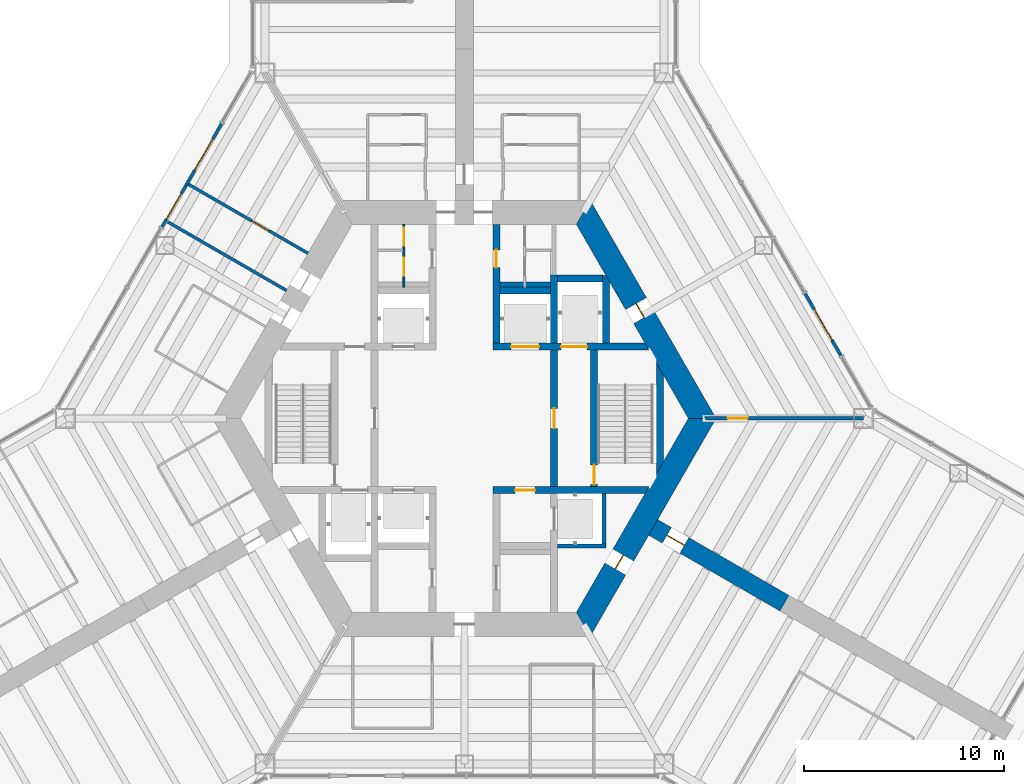
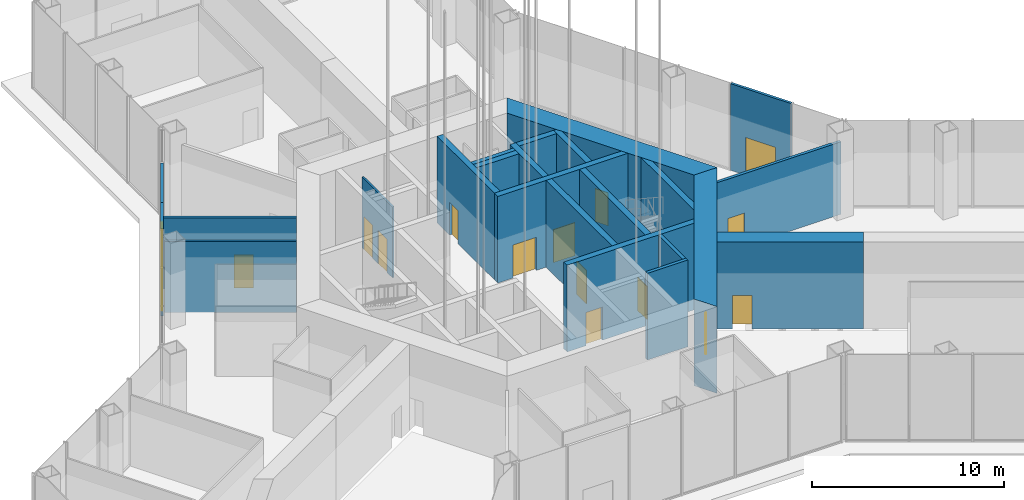
# One storey, part 11 of 18: 23 walls, 16 doors, 16 openings.
"""IFC4 building model written with IfcOpenShell, lengths in metres."""

from ifc_helpers import new_model, si_unit, direction, frame, frame_2d, origin, place, context, subcontext, project, spatial, polyline, rectangle, outline, extrude, material, layer, layer_set, type_object, element, fill, save


model = new_model("IFC4")

# Units and contexts
model_context = context("Model", 3, precision=1e-05, world=origin(), true_north=direction((0.0, 1.0)))
body_context = subcontext(model_context, "Body", "Model", "MODEL_VIEW")
ifc_project = project(units=[si_unit("LENGTHUNIT", "METRE"), si_unit("AREAUNIT", "SQUARE_METRE"), si_unit("VOLUMEUNIT", "CUBIC_METRE"), si_unit("PLANEANGLEUNIT", "RADIAN"), si_unit("MASSUNIT", "GRAM", prefix="KILO")], contexts=[model_context])

# Site, building, storey
site_placement = place(None, origin())
site = spatial("IfcSite", under=ifc_project, at=site_placement, CompositionType="ELEMENT")
building_placement = place(site_placement, origin())
building = spatial("IfcBuilding", under=site, at=building_placement, Name="Kasaneha Research Tower", CompositionType="ELEMENT")
storey_placement = place(building_placement, origin())
storey = spatial("IfcBuildingStorey", under=building, at=storey_placement, Name="L01", CompositionType="ELEMENT", Elevation=0.0)

# Wall, openings, doors
ifc_material_1 = material(Name="Concrete Fc100", Category="concrete")
ifc_layer_1 = layer(ifc_material_1, 0.35009765625)
ifc_layer_set_1 = layer_set([ifc_layer_1], Name="Core internal wall 350 Fc100")
wall_type_1 = type_object("IfcWallType", Name="Core internal wall 350 Fc100", PredefinedType="SHEAR", material=ifc_layer_set_1)
wall_1_placement = place(storey_placement, frame((1.425048828125, 3.60009765625, 0.0), z_axis=(0.0, 0.0, 1.0), x_axis=(1.0, 0.0, 0.0)))
wall_1 = element("IfcWall", 1, at=wall_1_placement, inside=storey, type_object=wall_type_1, Name="Core wall W1E L01", PredefinedType="SHEAR", context=body_context, shape_type="SweptSolid", body=[
    extrude(outline(polyline([(0.0, -0.175048828125), (0.925048828125, -0.175048828125), (2.324951171875, -0.175048828125), (3.425048828125, -0.175048828125), (4.72509765625, -0.175048828125), (7.8271484375, -0.175048828125), (7.625, 0.175048828125), (4.72509765625, 0.175048828125), (3.425048828125, 0.175048828125), (2.324951171875, 0.175048828125), (0.925048828125, 0.175048828125), (0.0, 0.175048828125), (0.0, -0.175048828125)])), origin(), (0.0, 0.0, 1.0), 5.5),
])
opening_1_placement = place(wall_1_placement, frame((0.925048828125, 0.0, 0.0)))
opening_1 = element("IfcOpeningElement", 2, at=opening_1_placement, cuts=wall_1, Name="Opening LD-SH1-L01", PredefinedType="OPENING", context=body_context, shape_type="SweptSolid", body=[
    extrude(rectangle(XDim=1.39990234375, YDim=2.10009765625, at=frame_2d((0.699951171875, 1.050048828125))), frame((0.0, 0.18505859375, 0.0), z_axis=(0.0, -1.0, 0.0), x_axis=(1.0, 0.0, 0.0)), (0.0, 0.0, 1.0), 0.3701171875),
])
opening_2_placement = place(wall_1_placement, frame((3.425048828125, 0.0, 0.0)))
opening_2 = element("IfcOpeningElement", 3, at=opening_2_placement, cuts=wall_1, Name="Opening LD-FL1-L01", PredefinedType="OPENING", context=body_context, shape_type="SweptSolid", body=[
    extrude(rectangle(XDim=1.300048828125, YDim=2.10009765625, at=frame_2d((0.64990234375, 1.050048828125))), frame((0.0, 0.18505859375, 0.0), z_axis=(0.0, -1.0, 0.0), x_axis=(1.0, 0.0, 0.0)), (0.0, 0.0, 1.0), 0.3701171875),
])
ifc_material_2 = material(Name="Steel", Category="steel")
door_type_1 = type_object("IfcDoorType", Name="Lift landing door 1300x2100", OperationType="DOUBLE_DOOR_SLIDING", PredefinedType="DOOR", material=ifc_material_2)
door_1_placement = place(opening_2_placement, origin())
door_1 = element("IfcDoor", 4, at=door_1_placement, inside=storey, type_object=door_type_1, Name="Landing door FL1 LD-FL1-L01", OperationType="DOUBLE_DOOR_SLIDING", OverallHeight=2.10009765625, OverallWidth=1.300048828125, PredefinedType="DOOR", context=body_context, shape_type="SweptSolid", body=[
    extrude(rectangle(XDim=1.300048828125, YDim=2.10009765625, at=frame_2d((0.64990234375, 1.050048828125))), frame((0.0, 0.02490234375, 0.0), z_axis=(0.0, -1.0, 0.0), x_axis=(1.0, 0.0, 0.0)), (0.0, 0.0, 1.0), 0.050048828125),
])
fill(opening_2, door_1)
ifc_material_3 = material(Name="Steel", Category="steel")
door_type_2 = type_object("IfcDoorType", Name="Lift landing door 1400x2100", OperationType="DOUBLE_DOOR_SLIDING", PredefinedType="DOOR", material=ifc_material_3)
door_2_placement = place(opening_1_placement, origin())
door_2 = element("IfcDoor", 5, at=door_2_placement, inside=storey, type_object=door_type_2, Name="Landing door SH1 LD-SH1-L01", OperationType="DOUBLE_DOOR_SLIDING", OverallHeight=2.10009765625, OverallWidth=1.39990234375, PredefinedType="DOOR", context=body_context, shape_type="SweptSolid", body=[
    extrude(rectangle(XDim=1.39990234375, YDim=2.10009765625, at=frame_2d((0.699951171875, 1.050048828125))), frame((0.0, 0.02490234375, 0.0), z_axis=(0.0, -1.0, 0.0), x_axis=(1.0, 0.0, 0.0)), (0.0, 0.0, 1.0), 0.050048828125),
])
fill(opening_1, door_2)

# Wall, opening, door
wall_2_placement = place(storey_placement, frame((1.425048828125, -3.60009765625, 0.0), z_axis=(0.0, 0.0, 1.0), x_axis=(1.0, 0.0, 0.0)))
wall_2 = element("IfcWall", 6, at=wall_2_placement, inside=storey, type_object=wall_type_1, Name="Core wall W2E L01", PredefinedType="SHEAR", context=body_context, shape_type="SweptSolid", body=[
    extrude(outline(polyline([(0.0, -0.175048828125), (1.125, -0.175048828125), (2.125, -0.175048828125), (7.625, -0.175048828125), (7.8271484375, 0.175048828125), (2.125, 0.175048828125), (1.125, 0.175048828125), (0.0, 0.175048828125), (0.0, -0.175048828125)])), origin(), (0.0, 0.0, 1.0), 5.5),
])
opening_3_placement = place(wall_2_placement, frame((1.125, 0.0, 0.0)))
opening_3 = element("IfcOpeningElement", 7, at=opening_3_placement, cuts=wall_2, Name="Opening L01-LV", PredefinedType="OPENING", context=body_context, shape_type="SweptSolid", body=[
    extrude(rectangle(XDim=1.0, YDim=2.10009765625, at=frame_2d((0.5, 1.050048828125))), frame((0.0, 0.18505859375, 0.0), z_axis=(0.0, -1.0, 0.0), x_axis=(1.0, 0.0, 0.0)), (0.0, 0.0, 1.0), 0.3701171875),
])
ifc_material_4 = material(Name="Steel", Category="steel")
door_type_3 = type_object("IfcDoorType", Name="Specified fire door FD60 1000x2100", OperationType="NOTDEFINED", PredefinedType="DOOR", material=ifc_material_4)
door_3_placement = place(opening_3_placement, origin())
door_3 = element("IfcDoor", 8, at=door_3_placement, inside=storey, type_object=door_type_3, Name="Podium vestibule door L01-LV", OperationType="SINGLE_SWING_LEFT", OverallHeight=2.10009765625, OverallWidth=1.0, PredefinedType="DOOR", context=body_context, shape_type="SweptSolid", body=[
    extrude(rectangle(XDim=1.0, YDim=2.10009765625, at=frame_2d((0.5, 1.050048828125))), frame((0.0, 0.02490234375, 0.0), z_axis=(0.0, -1.0, 0.0), x_axis=(1.0, 0.0, 0.0)), (0.0, 0.0, 1.0), 0.050048828125),
])
fill(opening_3, door_3)

wall_3_placement = place(storey_placement, frame((1.60009765625, 3.77490234375, 0.0), z_axis=(0.0, 0.0, 1.0), x_axis=(0.0, 1.0, 0.0)))
wall_3 = element("IfcWall", 9, at=wall_3_placement, inside=storey, type_object=wall_type_1, Name="Core wall CNE L01", PredefinedType="SHEAR", context=body_context, shape_type="SweptSolid", body=[
    extrude(rectangle(XDim=5.9501953125, YDim=0.35009765625, at=frame_2d((2.97509765625, 0.0))), origin(), (0.0, 0.0, 1.0), 5.5),
])
opening_4_placement = place(wall_3_placement, frame((3.77490234375, 0.0, 0.0)))
opening_4 = element("IfcOpeningElement", 10, at=opening_4_placement, cuts=wall_3, Name="Opening L01-D14", PredefinedType="OPENING", context=body_context, shape_type="SweptSolid", body=[
    extrude(rectangle(XDim=0.89990234375, YDim=2.10009765625, at=frame_2d((0.449951171875, 1.050048828125))), frame((0.0, 0.18505859375, 0.0), z_axis=(0.0, -1.0, 0.0), x_axis=(1.0, 0.0, 0.0)), (0.0, 0.0, 1.0), 0.3701171875),
])
ifc_material_5 = material(Name="Steel", Category="steel")
door_type_4 = type_object("IfcDoorType", Name="Toilet door FD20 900x2100", OperationType="NOTDEFINED", PredefinedType="DOOR", material=ifc_material_5)
door_4_placement = place(opening_4_placement, origin())
door_4 = element("IfcDoor", 11, at=door_4_placement, inside=storey, type_object=door_type_4, Name="Women's WC door L01-D14", OperationType="SINGLE_SWING_LEFT", OverallHeight=2.10009765625, OverallWidth=0.89990234375, PredefinedType="DOOR", context=body_context, shape_type="SweptSolid", body=[
    extrude(rectangle(XDim=0.89990234375, YDim=2.10009765625, at=frame_2d((0.449951171875, 1.050048828125))), frame((0.0, 0.02490234375, 0.0), z_axis=(0.0, -1.0, 0.0), x_axis=(1.0, 0.0, 0.0)), (0.0, 0.0, 1.0), 0.050048828125),
])
fill(opening_4, door_4)

wall_4_placement = place(storey_placement, frame((4.5, -3.425048828125, 0.0), z_axis=(0.0, 0.0, 1.0), x_axis=(0.0, 1.0, 0.0)))
wall_4 = element("IfcWall", 12, at=wall_4_placement, inside=storey, type_object=wall_type_1, Name="Core wall LBE L01", PredefinedType="SHEAR", context=body_context, shape_type="SweptSolid", body=[
    extrude(rectangle(XDim=6.85009765625, YDim=0.35009765625, at=frame_2d((3.425048828125, 0.0))), origin(), (0.0, 0.0, 1.0), 5.5),
])
opening_5_placement = place(wall_4_placement, frame((2.925048828125, 0.0, 0.0)))
opening_5 = element("IfcOpeningElement", 13, at=opening_5_placement, cuts=wall_4, Name="Opening L01-D08", PredefinedType="OPENING", context=body_context, shape_type="SweptSolid", body=[
    extrude(rectangle(XDim=1.0, YDim=2.10009765625, at=frame_2d((0.5, 1.050048828125))), frame((0.0, 0.18505859375, 0.0), z_axis=(0.0, -1.0, 0.0), x_axis=(1.0, 0.0, 0.0)), (0.0, 0.0, 1.0), 0.3701171875),
])
door_5_placement = place(opening_5_placement, origin())
door_5 = element("IfcDoor", 14, at=door_5_placement, inside=storey, type_object=door_type_3, Name="Lift lobby door east L01-D08", OperationType="SINGLE_SWING_LEFT", OverallHeight=2.10009765625, OverallWidth=1.0, PredefinedType="DOOR", context=body_context, shape_type="SweptSolid", body=[
    extrude(rectangle(XDim=1.0, YDim=2.10009765625, at=frame_2d((0.5, 1.050048828125))), frame((0.0, 0.02490234375, 0.0), z_axis=(0.0, -1.0, 0.0), x_axis=(1.0, 0.0, 0.0)), (0.0, 0.0, 1.0), 0.050048828125),
])
fill(opening_5, door_5)

wall_5_placement = place(storey_placement, frame((6.5, -3.425048828125, 0.0), z_axis=(0.0, 0.0, 1.0), x_axis=(0.0, 1.0, 0.0)))
wall_5 = element("IfcWall", 15, at=wall_5_placement, inside=storey, type_object=wall_type_1, Name="Core wall ANE L01", PredefinedType="SHEAR", context=body_context, shape_type="SweptSolid", body=[
    extrude(rectangle(XDim=6.85009765625, YDim=0.35009765625, at=frame_2d((3.425048828125, 0.0))), origin(), (0.0, 0.0, 1.0), 5.5),
])
opening_6_placement = place(wall_5_placement, frame((0.10009765625, 0.0, 0.0)))
opening_6 = element("IfcOpeningElement", 16, at=opening_6_placement, cuts=wall_5, Name="Opening L01-D10", PredefinedType="OPENING", context=body_context, shape_type="SweptSolid", body=[
    extrude(rectangle(XDim=1.0, YDim=2.10009765625, at=frame_2d((0.5, 1.050048828125))), frame((0.0, 0.18505859375, 0.0), z_axis=(0.0, -1.0, 0.0), x_axis=(1.0, 0.0, 0.0)), (0.0, 0.0, 1.0), 0.3701171875),
])
door_6_placement = place(opening_6_placement, origin())
door_6 = element("IfcDoor", 17, at=door_6_placement, inside=storey, type_object=door_type_3, Name="Stair 1 door L01-D10", OperationType="SINGLE_SWING_LEFT", OverallHeight=2.10009765625, OverallWidth=1.0, PredefinedType="DOOR", context=body_context, shape_type="SweptSolid", body=[
    extrude(rectangle(XDim=1.0, YDim=2.10009765625, at=frame_2d((0.5, 1.050048828125))), frame((0.0, 0.02490234375, 0.0), z_axis=(0.0, -1.0, 0.0), x_axis=(1.0, 0.0, 0.0)), (0.0, 0.0, 1.0), 0.050048828125),
])
fill(opening_6, door_6)

# Walls
wall_6_placement = place(storey_placement, frame((4.5, 3.77490234375, 0.0), z_axis=(0.0, 0.0, 1.0), x_axis=(0.0, 1.0, 0.0)))
element("IfcWall", 18, at=wall_6_placement, inside=storey, type_object=wall_type_1, Name="Core wall FNE L01", PredefinedType="SHEAR", context=body_context, shape_type="SweptSolid", body=[
    extrude(rectangle(XDim=3.400146484375, YDim=0.35009765625, at=frame_2d((1.7001953125, 0.0))), origin(), (0.0, 0.0, 1.0), 5.5),
])
wall_7_placement = place(storey_placement, frame((1.77490234375, 6.39990234375, 0.0), z_axis=(0.0, 0.0, 1.0), x_axis=(1.0, 0.0, 0.0)))
element("IfcWall", 19, at=wall_7_placement, inside=storey, type_object=wall_type_1, Name="Core wall N3N L01", PredefinedType="SHEAR", context=body_context, shape_type="SweptSolid", body=[
    extrude(rectangle(XDim=2.550048828125, YDim=0.35009765625, at=frame_2d((1.27490234375, 0.0))), origin(), (0.0, 0.0, 1.0), 5.5),
])
wall_8_placement = place(storey_placement, frame((4.675048828125, 7.0, 0.0), z_axis=(0.0, 0.0, 1.0), x_axis=(1.0, 0.0, 0.0)))
element("IfcWall", 20, at=wall_8_placement, inside=storey, type_object=wall_type_1, Name="Core wall F1N L01", PredefinedType="SHEAR", context=body_context, shape_type="SweptSolid", body=[
    extrude(rectangle(XDim=2.25, YDim=0.35009765625, at=frame_2d((1.125, 0.0))), origin(), (0.0, 0.0, 1.0), 5.5),
])
wall_9_placement = place(storey_placement, frame((7.10009765625, 3.77490234375, 0.0), z_axis=(0.0, 0.0, 1.0), x_axis=(0.0, 1.0, 0.0)))
element("IfcWall", 21, at=wall_9_placement, inside=storey, type_object=wall_type_1, Name="Core wall F1E L01", PredefinedType="SHEAR", context=body_context, shape_type="SweptSolid", body=[
    extrude(outline(polyline([(0.0, -0.175048828125), (3.07421875, -0.175048828125), (3.37744140625, 0.0), (3.39990234375, 0.175048828125), (0.0, 0.175048828125), (0.0, -0.175048828125)])), origin(), (0.0, 0.0, 1.0), 5.5),
])
wall_10_placement = place(storey_placement, frame((9.807861328125, -2.462158203125, 0.0), z_axis=(0.0, 0.0, 1.0), x_axis=(0.0, 1.0, 0.0)))
element("IfcWall", 22, at=wall_10_placement, inside=storey, type_object=wall_type_1, Name="Core wall STE L01", PredefinedType="SHEAR", context=body_context, shape_type="SweptSolid", body=[
    extrude(outline(polyline([(0.30322265625, -0.175048828125), (4.62109375, -0.175048828125), (5.2275390625, 0.175048828125), (-0.30322265625, 0.175048828125), (0.30322265625, -0.175048828125)])), origin(), (0.0, 0.0, 1.0), 5.5),
])

# Wall, opening, door
ifc_material_6 = material(Name="Concrete Fc100", Category="concrete")
ifc_layer_2 = layer(ifc_material_6, 1.199951171875)
ifc_layer_set_2 = layer_set([ifc_layer_2], Name="Core wall 1200 Fc100")
wall_type_2 = type_object("IfcWallType", Name="Core wall 1200 Fc100", PredefinedType="SHEAR", material=ifc_layer_set_2)
wall_11_placement = place(storey_placement, frame((11.92236328125, 0.0, 0.0), z_axis=(0.0, 0.0, 1.0), x_axis=(-0.500004296715, 0.866022923061, 0.0)))
wall_11 = element("IfcWall", 23, at=wall_11_placement, inside=storey, type_object=wall_type_2, Name="Core wall 030 L01", PredefinedType="SHEAR", context=body_context, shape_type="SweptSolid", body=[
    extrude(outline(polyline([(-0.346435546875, -0.60009765625), (5.83544921875, -0.60009765625), (6.635498046875, -0.60009765625), (12.268798828125, -0.60009765625), (11.575927734375, 0.60009765625), (6.635498046875, 0.60009765625), (5.83544921875, 0.60009765625), (0.346435546875, 0.60009765625), (-0.346435546875, -0.60009765625)])), origin(), (0.0, 0.0, 1.0), 5.5),
])
opening_7_placement = place(wall_11_placement, frame((5.83544921875, 0.0, 0.0)))
opening_7 = element("IfcOpeningElement", 24, at=opening_7_placement, cuts=wall_11, Name="Opening L01-D04", PredefinedType="OPENING", context=body_context, shape_type="SweptSolid", body=[
    extrude(rectangle(XDim=0.800048828125, YDim=2.10009765625, at=frame_2d((0.39990234375, 1.050048828125))), frame((0.0, 0.60986328125, 0.0), z_axis=(0.0, -1.0, 0.0), x_axis=(1.0, 0.0, 0.0)), (0.0, 0.0, 1.0), 1.219970703125),
])
ifc_material_7 = material(Name="Steel", Category="steel")
door_type_5 = type_object("IfcDoorType", Name="Riser access door FD60 800x2100", OperationType="NOTDEFINED", PredefinedType="DOOR", material=ifc_material_7)
door_7_placement = place(opening_7_placement, origin())
door_7 = element("IfcDoor", 25, at=door_7_placement, inside=storey, type_object=door_type_5, Name="Pipe riser door L01-D04", OperationType="SINGLE_SWING_RIGHT", OverallHeight=2.10009765625, OverallWidth=0.800048828125, PredefinedType="DOOR", context=body_context, shape_type="SweptSolid", body=[
    extrude(rectangle(XDim=0.800048828125, YDim=2.10009765625, at=frame_2d((0.39990234375, 1.050048828125))), frame((0.0, 0.02490234375, 0.0), z_axis=(0.0, -1.0, 0.0), x_axis=(1.0, 0.0, 0.0)), (0.0, 0.0, 1.0), 0.050048828125),
])
fill(opening_7, door_7)

wall_12_placement = place(storey_placement, frame((5.961181640625, -10.324951171875, 0.0), z_axis=(0.0, 0.0, 1.0), x_axis=(0.500004296715, 0.866022923061, 0.0)))
wall_12 = element("IfcWall", 26, at=wall_12_placement, inside=storey, type_object=wall_type_2, Name="Core wall 330 L01", PredefinedType="SHEAR", context=body_context, shape_type="SweptSolid", body=[
    extrude(outline(polyline([(-0.346435546875, -0.60009765625), (3.20849609375, -0.60009765625), (4.008544921875, -0.60009765625), (12.268798828125, -0.60009765625), (11.575927734375, 0.60009765625), (4.008544921875, 0.60009765625), (3.20849609375, 0.60009765625), (0.346435546875, 0.60009765625), (-0.346435546875, -0.60009765625)])), origin(), (0.0, 0.0, 1.0), 5.5),
])
opening_8_placement = place(wall_12_placement, frame((3.20849609375, 0.0, 0.0)))
opening_8 = element("IfcOpeningElement", 27, at=opening_8_placement, cuts=wall_12, Name="Opening L01-D05", PredefinedType="OPENING", context=body_context, shape_type="SweptSolid", body=[
    extrude(rectangle(XDim=0.800048828125, YDim=2.10009765625, at=frame_2d((0.39990234375, 1.050048828125))), frame((0.0, 0.60986328125, 0.0), z_axis=(0.0, -1.0, 0.0), x_axis=(1.0, 0.0, 0.0)), (0.0, 0.0, 1.0), 1.219970703125),
])
door_8_placement = place(opening_8_placement, origin())
door_8 = element("IfcDoor", 28, at=door_8_placement, inside=storey, type_object=door_type_5, Name="Pipe riser door L01-D05", OperationType="SINGLE_SWING_LEFT", OverallHeight=2.10009765625, OverallWidth=0.800048828125, PredefinedType="DOOR", context=body_context, shape_type="SweptSolid", body=[
    extrude(rectangle(XDim=0.800048828125, YDim=2.10009765625, at=frame_2d((0.39990234375, 1.050048828125))), frame((0.0, 0.02490234375, 0.0), z_axis=(0.0, -1.0, 0.0), x_axis=(1.0, 0.0, 0.0)), (0.0, 0.0, 1.0), 0.050048828125),
])
fill(opening_8, door_8)

ifc_material_8 = material(Name="Glass and aluminium", Category="aluminium")
ifc_layer_3 = layer(ifc_material_8, 0.14990234375)
ifc_layer_set_3 = layer_set([ifc_layer_3], Name="Glazed entrance screen 150")
wall_type_3 = type_object("IfcWallType", Name="Glazed entrance screen 150", PredefinedType="STANDARD", material=ifc_layer_set_3)
wall_13_placement = place(storey_placement, frame((18.87939453125, 3.140869140625, 0.0), z_axis=(0.0, 0.0, 1.0), x_axis=(-0.500012057535, 0.866018442252, 0.0)))
wall_13 = element("IfcWall", 29, at=wall_13_placement, inside=storey, type_object=wall_type_3, Name="Glazed entrance screen L01", PredefinedType="STANDARD", context=body_context, shape_type="SweptSolid", body=[
    extrude(rectangle(XDim=3.60009765625, YDim=0.14990234375, at=frame_2d((1.800048828125, 0.0))), origin(), (0.0, 0.0, 1.0), 5.5),
])
opening_9_placement = place(wall_13_placement, frame((0.89990234375, 0.0, 0.0)))
opening_9 = element("IfcOpeningElement", 30, at=opening_9_placement, cuts=wall_13, Name="Opening L01-ED03", PredefinedType="OPENING", context=body_context, shape_type="SweptSolid", body=[
    extrude(rectangle(XDim=1.800048828125, YDim=2.39990234375, at=frame_2d((0.89990234375, 1.199951171875))), frame((0.0, 0.0849609375, 0.0), z_axis=(0.0, -1.0, 0.0), x_axis=(1.0, 0.0, 0.0)), (0.0, 0.0, 1.0), 0.169921875),
])
ifc_material_9 = material(Name="Glass and aluminium", Category="aluminium")
door_type_6 = type_object("IfcDoorType", Name="Entrance door 1800x2400", OperationType="DOUBLE_DOOR_SINGLE_SWING", PredefinedType="DOOR", material=ifc_material_9)
door_9_placement = place(opening_9_placement, origin())
door_9 = element("IfcDoor", 31, at=door_9_placement, inside=storey, type_object=door_type_6, Name="Entrance door L01-ED03", OperationType="DOUBLE_DOOR_SINGLE_SWING", OverallHeight=2.39990234375, OverallWidth=1.800048828125, PredefinedType="DOOR", context=body_context, shape_type="SweptSolid", body=[
    extrude(rectangle(XDim=1.800048828125, YDim=2.39990234375, at=frame_2d((0.89990234375, 1.199951171875))), frame((0.0, 0.02490234375, 0.0), z_axis=(0.0, -1.0, 0.0), x_axis=(1.0, 0.0, 0.0)), (0.0, 0.0, 1.0), 0.050048828125),
])
fill(opening_9, door_9)

wall_14_placement = place(storey_placement, frame((-12.159912109375, 14.779541015625, 0.0), z_axis=(0.0, 0.0, 1.0), x_axis=(-0.499961193289, -0.866047807691, 0.0)))
wall_14 = element("IfcWall", 32, at=wall_14_placement, inside=storey, type_object=wall_type_3, Name="Glazed entrance screen L01", PredefinedType="STANDARD", context=body_context, shape_type="SweptSolid", body=[
    extrude(rectangle(XDim=3.599853515625, YDim=0.14990234375, at=frame_2d((1.7998046875, 0.0))), origin(), (0.0, 0.0, 1.0), 5.5),
])
opening_10_placement = place(wall_14_placement, frame((0.89990234375, 0.0, 0.0)))
opening_10 = element("IfcOpeningElement", 33, at=opening_10_placement, cuts=wall_14, Name="Opening L01-ED05", PredefinedType="OPENING", context=body_context, shape_type="SweptSolid", body=[
    extrude(rectangle(XDim=1.800048828125, YDim=2.39990234375, at=frame_2d((0.89990234375, 1.199951171875))), frame((0.0, 0.0849609375, 0.0), z_axis=(0.0, -1.0, 0.0), x_axis=(1.0, 0.0, 0.0)), (0.0, 0.0, 1.0), 0.169921875),
])
door_10_placement = place(opening_10_placement, origin())
door_10 = element("IfcDoor", 34, at=door_10_placement, inside=storey, type_object=door_type_6, Name="Entrance door L01-ED05", OperationType="DOUBLE_DOOR_SINGLE_SWING", OverallHeight=2.39990234375, OverallWidth=1.800048828125, PredefinedType="DOOR", context=body_context, shape_type="SweptSolid", body=[
    extrude(rectangle(XDim=1.800048828125, YDim=2.39990234375, at=frame_2d((0.89990234375, 1.199951171875))), frame((0.0, 0.02490234375, 0.0), z_axis=(0.0, -1.0, 0.0), x_axis=(1.0, 0.0, 0.0)), (0.0, 0.0, 1.0), 0.050048828125),
])
fill(opening_10, door_10)

wall_15_placement = place(storey_placement, frame((-15.15966796875, 9.583740234375, 0.0), z_axis=(0.0, 0.0, 1.0), x_axis=(0.499957262057, 0.866050077142, 0.0)))
wall_15 = element("IfcWall", 35, at=wall_15_placement, inside=storey, type_object=wall_type_3, Name="Glazed entrance screen L01", PredefinedType="STANDARD", context=body_context, shape_type="SweptSolid", body=[
    extrude(rectangle(XDim=2.400146484375, YDim=0.14990234375, at=frame_2d((1.2001953125, 0.0))), origin(), (0.0, 0.0, 1.0), 5.5),
])
opening_11_placement = place(wall_15_placement, frame((0.449951171875, 0.0, 0.0)))
opening_11 = element("IfcOpeningElement", 36, at=opening_11_placement, cuts=wall_15, Name="Opening L01-ED06", PredefinedType="OPENING", context=body_context, shape_type="SweptSolid", body=[
    extrude(rectangle(XDim=1.5, YDim=2.39990234375, at=frame_2d((0.75, 1.199951171875))), frame((0.0, 0.0849609375, 0.0), z_axis=(0.0, -1.0, 0.0), x_axis=(1.0, 0.0, 0.0)), (0.0, 0.0, 1.0), 0.169921875),
])
ifc_material_10 = material(Name="Glass and aluminium", Category="aluminium")
door_type_7 = type_object("IfcDoorType", Name="Exit door 1500x2400", OperationType="DOUBLE_DOOR_SINGLE_SWING", PredefinedType="DOOR", material=ifc_material_10)
door_11_placement = place(opening_11_placement, origin())
door_11 = element("IfcDoor", 37, at=door_11_placement, inside=storey, type_object=door_type_7, Name="Exit door L01-ED06", OperationType="DOUBLE_DOOR_SINGLE_SWING", OverallHeight=2.39990234375, OverallWidth=1.5, PredefinedType="DOOR", context=body_context, shape_type="SweptSolid", body=[
    extrude(rectangle(XDim=1.5, YDim=2.39990234375, at=frame_2d((0.75, 1.199951171875))), frame((0.0, 0.02490234375, 0.0), z_axis=(0.0, -1.0, 0.0), x_axis=(1.0, 0.0, 0.0)), (0.0, 0.0, 1.0), 0.050048828125),
])
fill(opening_11, door_11)

# Walls
ifc_material_11 = material(Name="Concrete block", Category="concrete")
ifc_layer_4 = layer(ifc_material_11, 0.199951171875)
ifc_layer_set_4 = layer_set([ifc_layer_4], Name="Lift shaft wall 200")
wall_type_4 = type_object("IfcWallType", Name="Lift shaft wall 200", PredefinedType="STANDARD", material=ifc_layer_set_4)
wall_16_placement = place(storey_placement, frame((4.675048828125, -6.39990234375, 0.0), z_axis=(0.0, 0.0, 1.0), x_axis=(1.0, 0.0, 0.0)))
element("IfcWall", 38, at=wall_16_placement, inside=storey, type_object=wall_type_4, Name="Lift shaft wall P1S L01", PredefinedType="STANDARD", context=body_context, shape_type="SweptSolid", body=[
    extrude(rectangle(XDim=2.425048828125, YDim=0.199951171875, at=frame_2d((1.21240234375, 0.0))), origin(), (0.0, 0.0, 1.0), 5.5),
])
wall_17_placement = place(storey_placement, frame((7.0, -3.77490234375, 0.0), z_axis=(0.0, 0.0, 1.0), x_axis=(0.0, -1.0, 0.0)))
element("IfcWall", 39, at=wall_17_placement, inside=storey, type_object=wall_type_4, Name="Lift shaft wall P1E L01", PredefinedType="STANDARD", context=body_context, shape_type="SweptSolid", body=[
    extrude(rectangle(XDim=2.525146484375, YDim=0.199951171875, at=frame_2d((1.2626953125, 0.0))), origin(), (0.0, 0.0, 1.0), 5.5),
])

# Wall, openings, doors
ifc_material_12 = material(Name="Gypsum board on steel studs, one layer each side", Category="steel")
ifc_layer_5 = layer(ifc_material_12, 0.10009765625)
ifc_layer_set_5 = layer_set([ifc_layer_5], Name="Office partition 100")
wall_type_5 = type_object("IfcWallType", Name="Office partition 100", PredefinedType="PARTITIONING", material=ifc_layer_set_5)
wall_18_placement = place(storey_placement, frame((-3.02490234375, 6.574951171875, 0.0), z_axis=(0.0, 0.0, 1.0), x_axis=(0.0, 1.0, 0.0)))
wall_18 = element("IfcWall", 40, at=wall_18_placement, inside=storey, type_object=wall_type_5, Name="Office partition TBM1 L01", PredefinedType="PARTITIONING", context=body_context, shape_type="SweptSolid", body=[
    extrude(rectangle(XDim=3.150146484375, YDim=0.10009765625, at=frame_2d((1.5751953125, 0.0))), origin(), (0.0, 0.0, 1.0), 4.5),
])
opening_12_placement = place(wall_18_placement, frame((0.574951171875, 0.0, 0.0)))
opening_12 = element("IfcOpeningElement", 41, at=opening_12_placement, cuts=wall_18, Name="Opening L01-D20", PredefinedType="OPENING", context=body_context, shape_type="SweptSolid", body=[
    extrude(rectangle(XDim=0.89990234375, YDim=2.10009765625, at=frame_2d((0.449951171875, 1.050048828125))), frame((0.0, 0.06005859375, 0.0), z_axis=(0.0, -1.0, 0.0), x_axis=(1.0, 0.0, 0.0)), (0.0, 0.0, 1.0), 0.1201171875),
])
opening_13_placement = place(wall_18_placement, frame((2.074951171875, 0.0, 0.0)))
opening_13 = element("IfcOpeningElement", 42, at=opening_13_placement, cuts=wall_18, Name="Opening L01-D21", PredefinedType="OPENING", context=body_context, shape_type="SweptSolid", body=[
    extrude(rectangle(XDim=0.89990234375, YDim=2.10009765625, at=frame_2d((0.449951171875, 1.050048828125))), frame((0.0, 0.06005859375, 0.0), z_axis=(0.0, -1.0, 0.0), x_axis=(1.0, 0.0, 0.0)), (0.0, 0.0, 1.0), 0.1201171875),
])
ifc_material_13 = material(Name="Steel", Category="steel")
door_type_8 = type_object("IfcDoorType", Name="Toilet lobby door FD30 900x2100", OperationType="NOTDEFINED", PredefinedType="DOOR", material=ifc_material_13)
door_12_placement = place(opening_12_placement, origin())
door_12 = element("IfcDoor", 43, at=door_12_placement, inside=storey, type_object=door_type_8, Name="Men's WC door L01-D20", OperationType="SINGLE_SWING_RIGHT", OverallHeight=2.10009765625, OverallWidth=0.89990234375, PredefinedType="DOOR", context=body_context, shape_type="SweptSolid", body=[
    extrude(rectangle(XDim=0.89990234375, YDim=2.10009765625, at=frame_2d((0.449951171875, 1.050048828125))), frame((0.0, 0.02490234375, 0.0), z_axis=(0.0, -1.0, 0.0), x_axis=(1.0, 0.0, 0.0)), (0.0, 0.0, 1.0), 0.050048828125),
])
fill(opening_12, door_12)
door_13_placement = place(opening_13_placement, origin())
door_13 = element("IfcDoor", 44, at=door_13_placement, inside=storey, type_object=door_type_8, Name="Parents' room door L01-D21", OperationType="SINGLE_SWING_RIGHT", OverallHeight=2.10009765625, OverallWidth=0.89990234375, PredefinedType="DOOR", context=body_context, shape_type="SweptSolid", body=[
    extrude(rectangle(XDim=0.89990234375, YDim=2.10009765625, at=frame_2d((0.449951171875, 1.050048828125))), frame((0.0, 0.02490234375, 0.0), z_axis=(0.0, -1.0, 0.0), x_axis=(1.0, 0.0, 0.0)), (0.0, 0.0, 1.0), 0.050048828125),
])
fill(opening_13, door_13)

# Wall, opening, door
ifc_material_14 = material(Name="Concrete Fc100", Category="concrete")
ifc_layer_6 = layer(ifc_material_14, 0.89990234375)
ifc_layer_set_6 = layer_set([ifc_layer_6], Name="Spine wall 900 Fc100")
wall_type_6 = type_object("IfcWallType", Name="Spine wall 900 Fc100", PredefinedType="SHEAR", material=ifc_layer_set_6)
wall_19_placement = place(storey_placement, frame((9.46142578125, -5.46240234375, 0.0), z_axis=(0.0, 0.0, 1.0), x_axis=(0.866019116917, -0.500010889016, 0.0)))
wall_19 = element("IfcWall", 45, at=wall_19_placement, inside=storey, type_object=wall_type_6, Name="Spine wall C L01", PredefinedType="SHEAR", context=body_context, shape_type="SweptSolid", body=[
    extrude(rectangle(XDim=7.595458984375, YDim=0.89990234375, at=frame_2d((3.7978515625, 0.0))), origin(), (0.0, 0.0, 1.0), 5.5),
])
opening_14_placement = place(wall_19_placement, frame((0.800048828125, 0.0, 0.0)))
opening_14 = element("IfcOpeningElement", 46, at=opening_14_placement, cuts=wall_19, Name="Opening L01-D19", PredefinedType="OPENING", context=body_context, shape_type="SweptSolid", body=[
    extrude(rectangle(XDim=1.0, YDim=2.10009765625, at=frame_2d((0.5, 1.050048828125))), frame((0.0, 0.4599609375, 0.0), z_axis=(0.0, -1.0, 0.0), x_axis=(1.0, 0.0, 0.0)), (0.0, 0.0, 1.0), 0.919921875),
])
door_14_placement = place(opening_14_placement, origin())
door_14 = element("IfcDoor", 47, at=door_14_placement, inside=storey, type_object=door_type_3, Name="Spine doorway C L01-D19", OperationType="SINGLE_SWING_LEFT", OverallHeight=2.10009765625, OverallWidth=1.0, PredefinedType="DOOR", context=body_context, shape_type="SweptSolid", body=[
    extrude(rectangle(XDim=1.0, YDim=2.10009765625, at=frame_2d((0.5, 1.050048828125))), frame((0.0, 0.02490234375, 0.0), z_axis=(0.0, -1.0, 0.0), x_axis=(1.0, 0.0, 0.0)), (0.0, 0.0, 1.0), 0.050048828125),
])
fill(opening_14, door_14)

ifc_material_15 = material(Name="Gypsum board on steel studs, two layers each side", Category="steel")
ifc_layer_7 = layer(ifc_material_15, 0.14990234375)
ifc_layer_set_7 = layer_set([ifc_layer_7], Name="Suite partition 150")
wall_type_7 = type_object("IfcWallType", Name="Suite partition 150", PredefinedType="PARTITIONING", material=ifc_layer_set_7)
wall_20_placement = place(storey_placement, frame((-7.838134765625, 8.27392578125, 0.0), z_axis=(0.0, 0.0, 1.0), x_axis=(-0.866012988868, 0.50002150265, 0.0)))
wall_20 = element("IfcWall", 48, at=wall_20_placement, inside=storey, type_object=wall_type_7, Name="Suite partition FBN04 L01", PredefinedType="PARTITIONING", context=body_context, shape_type="SweptSolid", body=[
    extrude(rectangle(XDim=6.925537109375, YDim=0.14990234375, at=frame_2d((3.462890625, 0.0))), origin(), (0.0, 0.0, 1.0), 4.5),
])
opening_15_placement = place(wall_20_placement, frame((2.24560546875, 0.0, 0.0)))
opening_15 = element("IfcOpeningElement", 49, at=opening_15_placement, cuts=wall_20, Name="Opening L01-D33", PredefinedType="OPENING", context=body_context, shape_type="SweptSolid", body=[
    extrude(rectangle(XDim=1.0, YDim=2.10009765625, at=frame_2d((0.5, 1.050048828125))), frame((0.0, 0.0849609375, 0.0), z_axis=(0.0, -1.0, 0.0), x_axis=(1.0, 0.0, 0.0)), (0.0, 0.0, 1.0), 0.169921875),
])
ifc_material_16 = material(Name="Steel", Category="steel")
door_type_9 = type_object("IfcDoorType", Name="Suite entrance door FD60 1000x2100", OperationType="NOTDEFINED", PredefinedType="DOOR", material=ifc_material_16)
door_15_placement = place(opening_15_placement, origin())
door_15 = element("IfcDoor", 50, at=door_15_placement, inside=storey, type_object=door_type_9, Name="Pharmacy door L01-D33", OperationType="SINGLE_SWING_LEFT", OverallHeight=2.10009765625, OverallWidth=1.0, PredefinedType="DOOR", context=body_context, shape_type="SweptSolid", body=[
    extrude(rectangle(XDim=1.0, YDim=2.10009765625, at=frame_2d((0.5, 1.050048828125))), frame((0.0, 0.02490234375, 0.0), z_axis=(0.0, -1.0, 0.0), x_axis=(1.0, 0.0, 0.0)), (0.0, 0.0, 1.0), 0.050048828125),
])
fill(opening_15, door_15)

# Wall
wall_21_placement = place(storey_placement, frame((-8.913818359375, 6.410888671875, 0.0), z_axis=(0.0, 0.0, 1.0), x_axis=(-0.866025337903, 0.500000114109, 0.0)))
element("IfcWall", 51, at=wall_21_placement, inside=storey, type_object=wall_type_7, Name="Suite partition FBN05 L01", PredefinedType="PARTITIONING", context=body_context, shape_type="SweptSolid", body=[
    extrude(rectangle(XDim=6.87548828125, YDim=0.14990234375, at=frame_2d((3.437744140625, 0.0))), origin(), (0.0, 0.0, 1.0), 4.5),
])

# Wall, opening, door
ifc_material_17 = material(Name="Gypsum board on steel studs, two layers each side", Category="steel")
ifc_layer_8 = layer(ifc_material_17, 0.175048828125)
ifc_layer_set_8 = layer_set([ifc_layer_8], Name="Tenancy fire partition 175")
wall_type_8 = type_object("IfcWallType", Name="Tenancy fire partition 175", PredefinedType="PARTITIONING", material=ifc_layer_set_8)
wall_22_placement = place(storey_placement, frame((12.070068359375, 0.0, 0.0), z_axis=(0.0, 0.0, 1.0), x_axis=(1.0, 0.0, 0.0)))
wall_22 = element("IfcWall", 52, at=wall_22_placement, inside=storey, type_object=wall_type_8, Name="Tenancy fire partition T000 L01", PredefinedType="PARTITIONING", context=body_context, shape_type="SweptSolid", body=[
    extrude(outline(polyline([(0.050537109375, -0.08740234375), (1.12939453125, -0.08740234375), (2.12939453125, -0.08740234375), (7.929931640625, -0.08740234375), (7.929931640625, 0.08740234375), (2.12939453125, 0.08740234375), (1.12939453125, 0.08740234375), (-0.050537109375, 0.08740234375), (0.050537109375, -0.08740234375)])), origin(), (0.0, 0.0, 1.0), 4.60009765625),
])
opening_16_placement = place(wall_22_placement, frame((1.12939453125, 0.0, 0.0)))
opening_16 = element("IfcOpeningElement", 53, at=opening_16_placement, cuts=wall_22, Name="Opening L01-D24", PredefinedType="OPENING", context=body_context, shape_type="SweptSolid", body=[
    extrude(rectangle(XDim=1.0, YDim=2.10009765625, at=frame_2d((0.5, 1.050048828125))), frame((0.0, 0.09765625, 0.0), z_axis=(0.0, -1.0, 0.0), x_axis=(1.0, 0.0, 0.0)), (0.0, 0.0, 1.0), 0.195068359375),
])
door_16_placement = place(opening_16_placement, origin())
door_16 = element("IfcDoor", 54, at=door_16_placement, inside=storey, type_object=door_type_9, Name="Connecting door L01-D24", OperationType="SINGLE_SWING_LEFT", OverallHeight=2.10009765625, OverallWidth=1.0, PredefinedType="DOOR", context=body_context, shape_type="SweptSolid", body=[
    extrude(rectangle(XDim=1.0, YDim=2.10009765625, at=frame_2d((0.5, 1.050048828125))), frame((0.0, 0.02490234375, 0.0), z_axis=(0.0, -1.0, 0.0), x_axis=(1.0, 0.0, 0.0)), (0.0, 0.0, 1.0), 0.050048828125),
])
fill(opening_16, door_16)

# Wall
ifc_material_18 = material(Name="Concrete block lining", Category="concrete")
ifc_layer_9 = layer(ifc_material_18, 0.25)
ifc_layer_set_9 = layer_set([ifc_layer_9], Name="WC plumbing wall 250")
wall_type_9 = type_object("IfcWallType", Name="WC plumbing wall 250", PredefinedType="PLUMBINGWALL", material=ifc_layer_set_9)
wall_23_placement = place(storey_placement, frame((1.77490234375, 6.699951171875, 0.0), z_axis=(0.0, 0.0, 1.0), x_axis=(1.0, 0.0, 0.0)))
element("IfcWall", 55, at=wall_23_placement, inside=storey, type_object=wall_type_9, Name="WC plumbing wall F L01", PredefinedType="PLUMBINGWALL", context=body_context, shape_type="SweptSolid", body=[
    extrude(rectangle(XDim=2.550048828125, YDim=0.25, at=frame_2d((1.27490234375, 0.0))), origin(), (0.0, 0.0, 1.0), 5.5),
])

save(model, "model.ifc")
